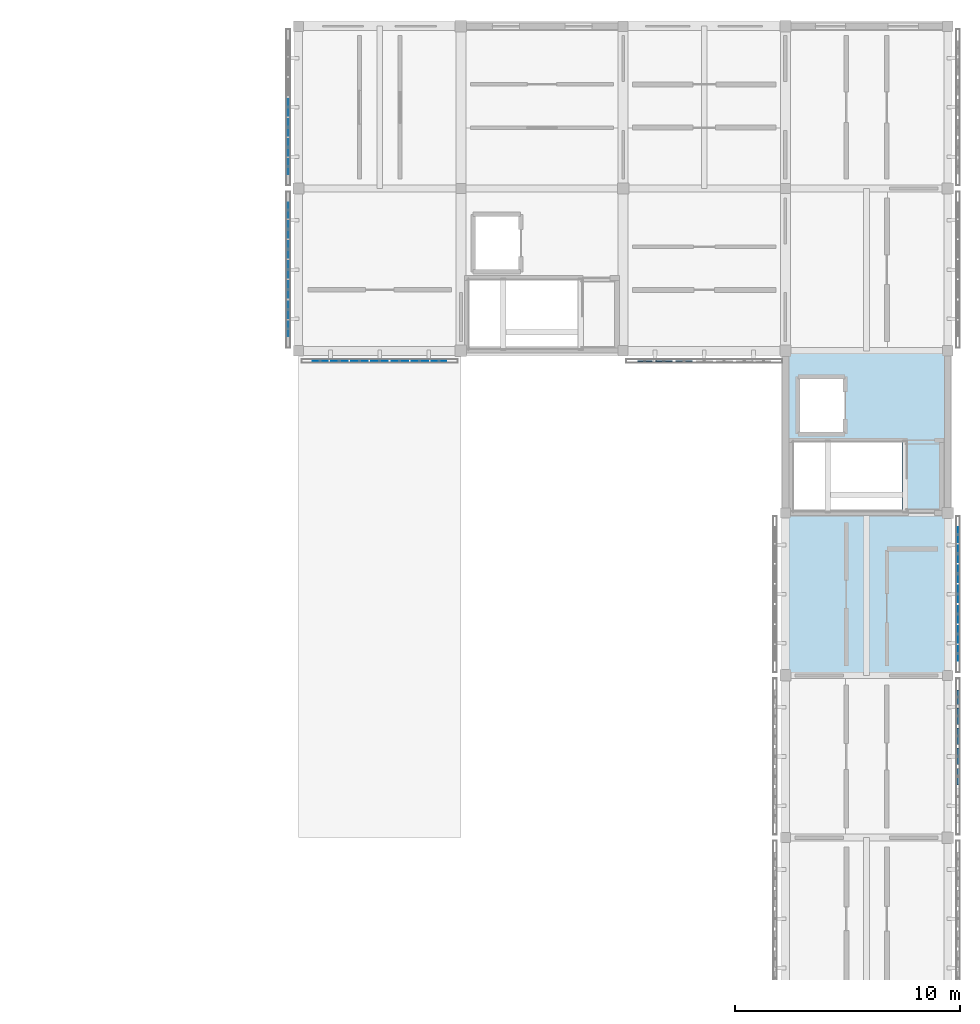
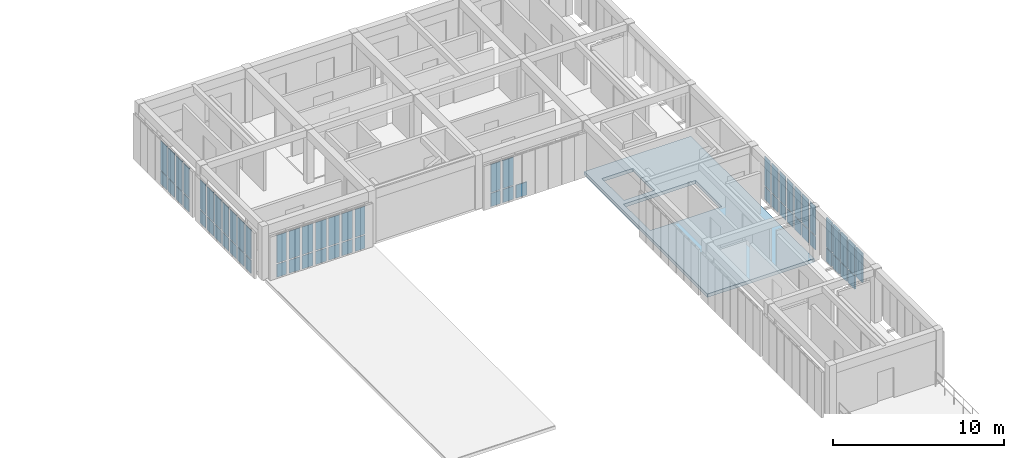
# One storey, part 21 of 33: 64 plates, 1 slab, 6 elements without a shape of their own.
"""IFC4 building model written with IfcOpenShell, lengths in metres."""

from ifc_helpers import new_model, si_unit, direction, frame, origin, origin_2d, place, context, subcontext, project, spatial, polyline, rectangle, outline, extrude, material, layer, layer_set, type_object, element, aggregate, save


model = new_model("IFC4")

# Units and contexts
model_context = context("Model", 3, precision=1e-05, world=origin(), true_north=direction((0.0, 1.0)))
body_context = subcontext(model_context, "Body", "Model", "MODEL_VIEW")
ifc_project = project(units=[si_unit("LENGTHUNIT", "METRE"), si_unit("AREAUNIT", "SQUARE_METRE"), si_unit("VOLUMEUNIT", "CUBIC_METRE"), si_unit("PLANEANGLEUNIT", "RADIAN"), si_unit("MASSUNIT", "GRAM", prefix="KILO")], contexts=[model_context])

# Site, building, storey
site_placement = place(None, origin())
site = spatial("IfcSite", under=ifc_project, at=site_placement, CompositionType="ELEMENT")
building_placement = place(site_placement, origin())
building = spatial("IfcBuilding", under=site, at=building_placement, Name="Aldebral Square Health Centre", CompositionType="ELEMENT")
storey_placement = place(building_placement, frame((0.0, 0.0, 17.550048828125)))
storey = spatial("IfcBuildingStorey", under=building, at=storey_placement, Name="L04", CompositionType="ELEMENT", Elevation=17.550048828125)

# Curtain wall, plates
ifc_material_1 = material(Name="Aluminium and low-E solar glass", Category="aluminium")
curtain_wall_type = type_object("IfcCurtainWallType", Name="CW-FIN-SYS", PredefinedType="USERDEFINED", material=ifc_material_1)
curtain_wall_1_placement = place(storey_placement, origin())
curtain_wall_1 = element("IfcCurtainWall", 1, at=curtain_wall_1_placement, inside=storey, type_object=curtain_wall_type, Name="L04 V5 finned curtain wall L04-V5-19-14-S", ObjectType="SOLAR_CURTAIN_WALL", PredefinedType="USERDEFINED")
ifc_material_2 = material(Name="Solar-control low-E double glass", Category="glass")
ifc_layer_1 = layer(ifc_material_2, 0.02001953125, Name="Solar-control low-E double glass", Category="glass")
ifc_layer_set_1 = layer_set([ifc_layer_1], Name="Solar-control low-E double glass")
plate_type_1 = type_object("IfcPlateType", Name="CWP-GLZ-1", PredefinedType="CURTAIN_PANEL", material=ifc_layer_set_1)
plate_1_placement = place(storey_placement, frame((137.765625, 100.340087890625, 0.074951171875), z_axis=(0.0, 0.0, 1.0), x_axis=(1.0, 0.0, 0.0)))
plate_1 = element("IfcPlate", 2, at=plate_1_placement, type_object=plate_type_1, Name="CW1 panel 1.1", PredefinedType="CURTAIN_PANEL", context=body_context, shape_type="SweptSolid", body=[
    extrude(rectangle(XDim=0.6513671875, YDim=0.02001953125, at=origin_2d()), origin(), (0.0, 0.0, 1.0), 0.9375),
])
plate_2_placement = place(storey_placement, frame((137.765625, 100.340087890625, 1.08740234375), z_axis=(0.0, 0.0, 1.0), x_axis=(1.0, 0.0, 0.0)))
plate_2 = element("IfcPlate", 3, at=plate_2_placement, type_object=plate_type_1, Name="CW1 panel 1.2", PredefinedType="CURTAIN_PANEL", context=body_context, shape_type="SweptSolid", body=[
    extrude(rectangle(XDim=0.6513671875, YDim=0.02001953125, at=origin_2d()), origin(), (0.0, 0.0, 1.0), 1.987548828125),
])
plate_3_placement = place(storey_placement, frame((138.6171875, 100.340087890625, 0.074951171875), z_axis=(0.0, 0.0, 1.0), x_axis=(1.0, 0.0, 0.0)))
plate_3 = element("IfcPlate", 4, at=plate_3_placement, type_object=plate_type_1, Name="CW1 panel 2.1", PredefinedType="CURTAIN_PANEL", context=body_context, shape_type="SweptSolid", body=[
    extrude(rectangle(XDim=0.7314453125, YDim=0.02001953125, at=origin_2d()), origin(), (0.0, 0.0, 1.0), 0.9375),
])
plate_4_placement = place(storey_placement, frame((138.6171875, 100.340087890625, 1.08740234375), z_axis=(0.0, 0.0, 1.0), x_axis=(1.0, 0.0, 0.0)))
plate_4 = element("IfcPlate", 5, at=plate_4_placement, type_object=plate_type_1, Name="CW1 panel 2.2", PredefinedType="CURTAIN_PANEL", context=body_context, shape_type="SweptSolid", body=[
    extrude(rectangle(XDim=0.7314453125, YDim=0.02001953125, at=origin_2d()), origin(), (0.0, 0.0, 1.0), 1.987548828125),
])
plate_5_placement = place(storey_placement, frame((139.508544921875, 100.340087890625, 0.074951171875), z_axis=(0.0, 0.0, 1.0), x_axis=(1.0, 0.0, 0.0)))
plate_5 = element("IfcPlate", 6, at=plate_5_placement, type_object=plate_type_1, Name="CW1 panel 3.1", PredefinedType="CURTAIN_PANEL", context=body_context, shape_type="SweptSolid", body=[
    extrude(rectangle(XDim=0.7314453125, YDim=0.02001953125, at=origin_2d()), origin(), (0.0, 0.0, 1.0), 0.9375),
])
plate_6_placement = place(storey_placement, frame((139.508544921875, 100.340087890625, 1.08740234375), z_axis=(0.0, 0.0, 1.0), x_axis=(1.0, 0.0, 0.0)))
plate_6 = element("IfcPlate", 7, at=plate_6_placement, type_object=plate_type_1, Name="CW1 panel 3.2", PredefinedType="CURTAIN_PANEL", context=body_context, shape_type="SweptSolid", body=[
    extrude(rectangle(XDim=0.7314453125, YDim=0.02001953125, at=origin_2d()), origin(), (0.0, 0.0, 1.0), 1.987548828125),
])
plate_7_placement = place(storey_placement, frame((140.39990234375, 100.340087890625, 0.074951171875), z_axis=(0.0, 0.0, 1.0), x_axis=(1.0, 0.0, 0.0)))
plate_7 = element("IfcPlate", 8, at=plate_7_placement, type_object=plate_type_1, Name="CW1 panel 4.1", PredefinedType="CURTAIN_PANEL", context=body_context, shape_type="SweptSolid", body=[
    extrude(rectangle(XDim=0.7314453125, YDim=0.02001953125, at=origin_2d()), origin(), (0.0, 0.0, 1.0), 0.9375),
])
plate_8_placement = place(storey_placement, frame((140.39990234375, 100.340087890625, 1.08740234375), z_axis=(0.0, 0.0, 1.0), x_axis=(1.0, 0.0, 0.0)))
plate_8 = element("IfcPlate", 9, at=plate_8_placement, type_object=plate_type_1, Name="CW1 panel 4.2", PredefinedType="CURTAIN_PANEL", context=body_context, shape_type="SweptSolid", body=[
    extrude(rectangle(XDim=0.7314453125, YDim=0.02001953125, at=origin_2d()), origin(), (0.0, 0.0, 1.0), 1.987548828125),
])
plate_9_placement = place(storey_placement, frame((141.29150390625, 100.340087890625, 0.074951171875), z_axis=(0.0, 0.0, 1.0), x_axis=(1.0, 0.0, 0.0)))
plate_9 = element("IfcPlate", 10, at=plate_9_placement, type_object=plate_type_1, Name="CW1 panel 5.1", PredefinedType="CURTAIN_PANEL", context=body_context, shape_type="SweptSolid", body=[
    extrude(rectangle(XDim=0.7314453125, YDim=0.02001953125, at=origin_2d()), origin(), (0.0, 0.0, 1.0), 0.9375),
])
plate_10_placement = place(storey_placement, frame((141.29150390625, 100.340087890625, 1.08740234375), z_axis=(0.0, 0.0, 1.0), x_axis=(1.0, 0.0, 0.0)))
plate_10 = element("IfcPlate", 11, at=plate_10_placement, type_object=plate_type_1, Name="CW1 panel 5.2", PredefinedType="CURTAIN_PANEL", context=body_context, shape_type="SweptSolid", body=[
    extrude(rectangle(XDim=0.7314453125, YDim=0.02001953125, at=origin_2d()), origin(), (0.0, 0.0, 1.0), 1.987548828125),
])
plate_11_placement = place(storey_placement, frame((142.182861328125, 100.340087890625, 0.074951171875), z_axis=(0.0, 0.0, 1.0), x_axis=(1.0, 0.0, 0.0)))
plate_11 = element("IfcPlate", 12, at=plate_11_placement, type_object=plate_type_1, Name="CW1 panel 6.1", PredefinedType="CURTAIN_PANEL", context=body_context, shape_type="SweptSolid", body=[
    extrude(rectangle(XDim=0.7314453125, YDim=0.02001953125, at=origin_2d()), origin(), (0.0, 0.0, 1.0), 0.9375),
])
plate_12_placement = place(storey_placement, frame((142.182861328125, 100.340087890625, 1.08740234375), z_axis=(0.0, 0.0, 1.0), x_axis=(1.0, 0.0, 0.0)))
plate_12 = element("IfcPlate", 13, at=plate_12_placement, type_object=plate_type_1, Name="CW1 panel 6.2", PredefinedType="CURTAIN_PANEL", context=body_context, shape_type="SweptSolid", body=[
    extrude(rectangle(XDim=0.7314453125, YDim=0.02001953125, at=origin_2d()), origin(), (0.0, 0.0, 1.0), 1.987548828125),
])
plate_13_placement = place(storey_placement, frame((143.0341796875, 100.340087890625, 0.074951171875), z_axis=(0.0, 0.0, 1.0), x_axis=(1.0, 0.0, 0.0)))
plate_13 = element("IfcPlate", 14, at=plate_13_placement, type_object=plate_type_1, Name="CW1 panel 7.1", PredefinedType="CURTAIN_PANEL", context=body_context, shape_type="SweptSolid", body=[
    extrude(rectangle(XDim=0.6513671875, YDim=0.02001953125, at=origin_2d()), origin(), (0.0, 0.0, 1.0), 0.9375),
])
plate_14_placement = place(storey_placement, frame((143.0341796875, 100.340087890625, 1.08740234375), z_axis=(0.0, 0.0, 1.0), x_axis=(1.0, 0.0, 0.0)))
plate_14 = element("IfcPlate", 15, at=plate_14_placement, type_object=plate_type_1, Name="CW1 panel 7.2", PredefinedType="CURTAIN_PANEL", context=body_context, shape_type="SweptSolid", body=[
    extrude(rectangle(XDim=0.6513671875, YDim=0.02001953125, at=origin_2d()), origin(), (0.0, 0.0, 1.0), 1.987548828125),
])
aggregate(curtain_wall_1, [plate_1, plate_2, plate_3, plate_4, plate_5, plate_6, plate_7, plate_8, plate_9, plate_10, plate_11, plate_12, plate_13, plate_14])

curtain_wall_2_placement = place(storey_placement, origin())
curtain_wall_2 = element("IfcCurtainWall", 16, at=curtain_wall_2_placement, inside=storey, type_object=curtain_wall_type, Name="L04 V5 finned curtain wall L04-V5-19-14-W", ObjectType="SOLAR_CURTAIN_WALL", PredefinedType="USERDEFINED")
ifc_layer_2 = layer(ifc_material_2, 0.030029296875, Name="Solar-control low-E double glass", Category="glass")
ifc_layer_set_2 = layer_set([ifc_layer_2], Name="Solar-control low-E double glass")
plate_type_2 = type_object("IfcPlateType", Name="CWP-GLZ-2", PredefinedType="CURTAIN_PANEL", material=ifc_layer_set_2)
plate_15_placement = place(storey_placement, frame((136.340087890625, 107.0341796875, 0.074951171875), z_axis=(0.0, 0.0, 1.0), x_axis=(0.0, -1.0, 0.0)))
plate_15 = element("IfcPlate", 17, at=plate_15_placement, type_object=plate_type_2, Name="CW1 panel 1.1", PredefinedType="CURTAIN_PANEL", context=body_context, shape_type="SweptSolid", body=[
    extrude(rectangle(XDim=0.6513671875, YDim=0.030029296875, at=origin_2d()), origin(), (0.0, 0.0, 1.0), 0.9375),
])
plate_16_placement = place(storey_placement, frame((136.340087890625, 107.0341796875, 1.08740234375), z_axis=(0.0, 0.0, 1.0), x_axis=(0.0, -1.0, 0.0)))
plate_16 = element("IfcPlate", 18, at=plate_16_placement, type_object=plate_type_2, Name="CW1 panel 1.2", PredefinedType="CURTAIN_PANEL", context=body_context, shape_type="SweptSolid", body=[
    extrude(rectangle(XDim=0.6513671875, YDim=0.030029296875, at=origin_2d()), origin(), (0.0, 0.0, 1.0), 2.08740234375),
])
plate_17_placement = place(storey_placement, frame((136.340087890625, 106.182861328125, 0.074951171875), z_axis=(0.0, 0.0, 1.0), x_axis=(0.0, -1.0, 0.0)))
plate_17 = element("IfcPlate", 19, at=plate_17_placement, type_object=plate_type_2, Name="CW1 panel 2.1", PredefinedType="CURTAIN_PANEL", context=body_context, shape_type="SweptSolid", body=[
    extrude(rectangle(XDim=0.7314453125, YDim=0.030029296875, at=origin_2d()), origin(), (0.0, 0.0, 1.0), 0.9375),
])
plate_18_placement = place(storey_placement, frame((136.340087890625, 106.182861328125, 1.08740234375), z_axis=(0.0, 0.0, 1.0), x_axis=(0.0, -1.0, 0.0)))
plate_18 = element("IfcPlate", 20, at=plate_18_placement, type_object=plate_type_2, Name="CW1 panel 2.2", PredefinedType="CURTAIN_PANEL", context=body_context, shape_type="SweptSolid", body=[
    extrude(rectangle(XDim=0.7314453125, YDim=0.030029296875, at=origin_2d()), origin(), (0.0, 0.0, 1.0), 2.08740234375),
])
plate_19_placement = place(storey_placement, frame((136.340087890625, 105.29150390625, 0.074951171875), z_axis=(0.0, 0.0, 1.0), x_axis=(0.0, -1.0, 0.0)))
plate_19 = element("IfcPlate", 21, at=plate_19_placement, type_object=plate_type_2, Name="CW1 panel 3.1", PredefinedType="CURTAIN_PANEL", context=body_context, shape_type="SweptSolid", body=[
    extrude(rectangle(XDim=0.7314453125, YDim=0.030029296875, at=origin_2d()), origin(), (0.0, 0.0, 1.0), 0.9375),
])
plate_20_placement = place(storey_placement, frame((136.340087890625, 105.29150390625, 1.08740234375), z_axis=(0.0, 0.0, 1.0), x_axis=(0.0, -1.0, 0.0)))
plate_20 = element("IfcPlate", 22, at=plate_20_placement, type_object=plate_type_2, Name="CW1 panel 3.2", PredefinedType="CURTAIN_PANEL", context=body_context, shape_type="SweptSolid", body=[
    extrude(rectangle(XDim=0.7314453125, YDim=0.030029296875, at=origin_2d()), origin(), (0.0, 0.0, 1.0), 2.08740234375),
])
plate_21_placement = place(storey_placement, frame((136.340087890625, 104.39990234375, 0.074951171875), z_axis=(0.0, 0.0, 1.0), x_axis=(0.0, -1.0, 0.0)))
plate_21 = element("IfcPlate", 23, at=plate_21_placement, type_object=plate_type_2, Name="CW1 panel 4.1", PredefinedType="CURTAIN_PANEL", context=body_context, shape_type="SweptSolid", body=[
    extrude(rectangle(XDim=0.7314453125, YDim=0.030029296875, at=origin_2d()), origin(), (0.0, 0.0, 1.0), 0.9375),
])
plate_22_placement = place(storey_placement, frame((136.340087890625, 104.39990234375, 1.08740234375), z_axis=(0.0, 0.0, 1.0), x_axis=(0.0, -1.0, 0.0)))
plate_22 = element("IfcPlate", 24, at=plate_22_placement, type_object=plate_type_2, Name="CW1 panel 4.2", PredefinedType="CURTAIN_PANEL", context=body_context, shape_type="SweptSolid", body=[
    extrude(rectangle(XDim=0.7314453125, YDim=0.030029296875, at=origin_2d()), origin(), (0.0, 0.0, 1.0), 2.08740234375),
])
plate_23_placement = place(storey_placement, frame((136.340087890625, 103.508544921875, 0.074951171875), z_axis=(0.0, 0.0, 1.0), x_axis=(0.0, -1.0, 0.0)))
plate_23 = element("IfcPlate", 25, at=plate_23_placement, type_object=plate_type_2, Name="CW1 panel 5.1", PredefinedType="CURTAIN_PANEL", context=body_context, shape_type="SweptSolid", body=[
    extrude(rectangle(XDim=0.7314453125, YDim=0.030029296875, at=origin_2d()), origin(), (0.0, 0.0, 1.0), 0.9375),
])
plate_24_placement = place(storey_placement, frame((136.340087890625, 103.508544921875, 1.08740234375), z_axis=(0.0, 0.0, 1.0), x_axis=(0.0, -1.0, 0.0)))
plate_24 = element("IfcPlate", 26, at=plate_24_placement, type_object=plate_type_2, Name="CW1 panel 5.2", PredefinedType="CURTAIN_PANEL", context=body_context, shape_type="SweptSolid", body=[
    extrude(rectangle(XDim=0.7314453125, YDim=0.030029296875, at=origin_2d()), origin(), (0.0, 0.0, 1.0), 2.08740234375),
])
plate_25_placement = place(storey_placement, frame((136.340087890625, 102.6171875, 0.074951171875), z_axis=(0.0, 0.0, 1.0), x_axis=(0.0, -1.0, 0.0)))
plate_25 = element("IfcPlate", 27, at=plate_25_placement, type_object=plate_type_2, Name="CW1 panel 6.1", PredefinedType="CURTAIN_PANEL", context=body_context, shape_type="SweptSolid", body=[
    extrude(rectangle(XDim=0.7314453125, YDim=0.030029296875, at=origin_2d()), origin(), (0.0, 0.0, 1.0), 0.9375),
])
plate_26_placement = place(storey_placement, frame((136.340087890625, 102.6171875, 1.08740234375), z_axis=(0.0, 0.0, 1.0), x_axis=(0.0, -1.0, 0.0)))
plate_26 = element("IfcPlate", 28, at=plate_26_placement, type_object=plate_type_2, Name="CW1 panel 6.2", PredefinedType="CURTAIN_PANEL", context=body_context, shape_type="SweptSolid", body=[
    extrude(rectangle(XDim=0.7314453125, YDim=0.030029296875, at=origin_2d()), origin(), (0.0, 0.0, 1.0), 2.08740234375),
])
plate_27_placement = place(storey_placement, frame((136.340087890625, 101.765625, 0.074951171875), z_axis=(0.0, 0.0, 1.0), x_axis=(0.0, -1.0, 0.0)))
plate_27 = element("IfcPlate", 29, at=plate_27_placement, type_object=plate_type_2, Name="CW1 panel 7.1", PredefinedType="CURTAIN_PANEL", context=body_context, shape_type="SweptSolid", body=[
    extrude(rectangle(XDim=0.6513671875, YDim=0.030029296875, at=origin_2d()), origin(), (0.0, 0.0, 1.0), 0.9375),
])
plate_28_placement = place(storey_placement, frame((136.340087890625, 101.765625, 1.08740234375), z_axis=(0.0, 0.0, 1.0), x_axis=(0.0, -1.0, 0.0)))
plate_28 = element("IfcPlate", 30, at=plate_28_placement, type_object=plate_type_2, Name="CW1 panel 7.2", PredefinedType="CURTAIN_PANEL", context=body_context, shape_type="SweptSolid", body=[
    extrude(rectangle(XDim=0.6513671875, YDim=0.030029296875, at=origin_2d()), origin(), (0.0, 0.0, 1.0), 2.08740234375),
])
aggregate(curtain_wall_2, [plate_15, plate_16, plate_17, plate_18, plate_19, plate_20, plate_21, plate_22, plate_23, plate_24, plate_25, plate_26, plate_27, plate_28])

curtain_wall_3_placement = place(storey_placement, origin())
curtain_wall_3 = element("IfcCurtainWall", 31, at=curtain_wall_3_placement, inside=storey, type_object=curtain_wall_type, Name="L04 V5 finned curtain wall L04-V5-22-12-E", ObjectType="SOLAR_CURTAIN_WALL", PredefinedType="USERDEFINED")
plate_29_placement = place(storey_placement, frame((166.06005859375, 87.36572265625, 0.074951171875), z_axis=(0.0, 0.0, 1.0), x_axis=(0.0, 1.0, 0.0)))
plate_29 = element("IfcPlate", 32, at=plate_29_placement, type_object=plate_type_2, Name="CW1 panel 1.1", PredefinedType="CURTAIN_PANEL", context=body_context, shape_type="SweptSolid", body=[
    extrude(rectangle(XDim=0.6513671875, YDim=0.030029296875, at=origin_2d()), origin(), (0.0, 0.0, 1.0), 0.9375),
])
plate_30_placement = place(storey_placement, frame((166.06005859375, 87.36572265625, 1.08740234375), z_axis=(0.0, 0.0, 1.0), x_axis=(0.0, 1.0, 0.0)))
plate_30 = element("IfcPlate", 33, at=plate_30_placement, type_object=plate_type_2, Name="CW1 panel 1.2", PredefinedType="CURTAIN_PANEL", context=body_context, shape_type="SweptSolid", body=[
    extrude(rectangle(XDim=0.6513671875, YDim=0.030029296875, at=origin_2d()), origin(), (0.0, 0.0, 1.0), 2.08740234375),
])
plate_31_placement = place(storey_placement, frame((166.06005859375, 88.217041015625, 0.074951171875), z_axis=(0.0, 0.0, 1.0), x_axis=(0.0, 1.0, 0.0)))
plate_31 = element("IfcPlate", 34, at=plate_31_placement, type_object=plate_type_2, Name="CW1 panel 2.1", PredefinedType="CURTAIN_PANEL", context=body_context, shape_type="SweptSolid", body=[
    extrude(rectangle(XDim=0.7314453125, YDim=0.030029296875, at=origin_2d()), origin(), (0.0, 0.0, 1.0), 0.9375),
])
plate_32_placement = place(storey_placement, frame((166.06005859375, 88.217041015625, 1.08740234375), z_axis=(0.0, 0.0, 1.0), x_axis=(0.0, 1.0, 0.0)))
plate_32 = element("IfcPlate", 35, at=plate_32_placement, type_object=plate_type_2, Name="CW1 panel 2.2", PredefinedType="CURTAIN_PANEL", context=body_context, shape_type="SweptSolid", body=[
    extrude(rectangle(XDim=0.7314453125, YDim=0.030029296875, at=origin_2d()), origin(), (0.0, 0.0, 1.0), 2.08740234375),
])
plate_33_placement = place(storey_placement, frame((166.06005859375, 89.108642578125, 0.074951171875), z_axis=(0.0, 0.0, 1.0), x_axis=(0.0, 1.0, 0.0)))
plate_33 = element("IfcPlate", 36, at=plate_33_placement, type_object=plate_type_2, Name="CW1 panel 3.1", PredefinedType="CURTAIN_PANEL", context=body_context, shape_type="SweptSolid", body=[
    extrude(rectangle(XDim=0.7314453125, YDim=0.030029296875, at=origin_2d()), origin(), (0.0, 0.0, 1.0), 0.9375),
])
plate_34_placement = place(storey_placement, frame((166.06005859375, 89.108642578125, 1.08740234375), z_axis=(0.0, 0.0, 1.0), x_axis=(0.0, 1.0, 0.0)))
plate_34 = element("IfcPlate", 37, at=plate_34_placement, type_object=plate_type_2, Name="CW1 panel 3.2", PredefinedType="CURTAIN_PANEL", context=body_context, shape_type="SweptSolid", body=[
    extrude(rectangle(XDim=0.7314453125, YDim=0.030029296875, at=origin_2d()), origin(), (0.0, 0.0, 1.0), 2.08740234375),
])
plate_35_placement = place(storey_placement, frame((166.06005859375, 90.0, 0.074951171875), z_axis=(0.0, 0.0, 1.0), x_axis=(0.0, 1.0, 0.0)))
plate_35 = element("IfcPlate", 38, at=plate_35_placement, type_object=plate_type_2, Name="CW1 panel 4.1", PredefinedType="CURTAIN_PANEL", context=body_context, shape_type="SweptSolid", body=[
    extrude(rectangle(XDim=0.7314453125, YDim=0.030029296875, at=origin_2d()), origin(), (0.0, 0.0, 1.0), 0.9375),
])
plate_36_placement = place(storey_placement, frame((166.06005859375, 90.0, 1.08740234375), z_axis=(0.0, 0.0, 1.0), x_axis=(0.0, 1.0, 0.0)))
plate_36 = element("IfcPlate", 39, at=plate_36_placement, type_object=plate_type_2, Name="CW1 panel 4.2", PredefinedType="CURTAIN_PANEL", context=body_context, shape_type="SweptSolid", body=[
    extrude(rectangle(XDim=0.7314453125, YDim=0.030029296875, at=origin_2d()), origin(), (0.0, 0.0, 1.0), 2.08740234375),
])
plate_37_placement = place(storey_placement, frame((166.06005859375, 90.891357421875, 0.074951171875), z_axis=(0.0, 0.0, 1.0), x_axis=(0.0, 1.0, 0.0)))
plate_37 = element("IfcPlate", 40, at=plate_37_placement, type_object=plate_type_2, Name="CW1 panel 5.1", PredefinedType="CURTAIN_PANEL", context=body_context, shape_type="SweptSolid", body=[
    extrude(rectangle(XDim=0.7314453125, YDim=0.030029296875, at=origin_2d()), origin(), (0.0, 0.0, 1.0), 0.9375),
])
plate_38_placement = place(storey_placement, frame((166.06005859375, 90.891357421875, 1.08740234375), z_axis=(0.0, 0.0, 1.0), x_axis=(0.0, 1.0, 0.0)))
plate_38 = element("IfcPlate", 41, at=plate_38_placement, type_object=plate_type_2, Name="CW1 panel 5.2", PredefinedType="CURTAIN_PANEL", context=body_context, shape_type="SweptSolid", body=[
    extrude(rectangle(XDim=0.7314453125, YDim=0.030029296875, at=origin_2d()), origin(), (0.0, 0.0, 1.0), 2.08740234375),
])
plate_39_placement = place(storey_placement, frame((166.06005859375, 91.782958984375, 0.074951171875), z_axis=(0.0, 0.0, 1.0), x_axis=(0.0, 1.0, 0.0)))
plate_39 = element("IfcPlate", 42, at=plate_39_placement, type_object=plate_type_2, Name="CW1 panel 6.1", PredefinedType="CURTAIN_PANEL", context=body_context, shape_type="SweptSolid", body=[
    extrude(rectangle(XDim=0.7314453125, YDim=0.030029296875, at=origin_2d()), origin(), (0.0, 0.0, 1.0), 0.9375),
])
plate_40_placement = place(storey_placement, frame((166.06005859375, 91.782958984375, 1.08740234375), z_axis=(0.0, 0.0, 1.0), x_axis=(0.0, 1.0, 0.0)))
plate_40 = element("IfcPlate", 43, at=plate_40_placement, type_object=plate_type_2, Name="CW1 panel 6.2", PredefinedType="CURTAIN_PANEL", context=body_context, shape_type="SweptSolid", body=[
    extrude(rectangle(XDim=0.7314453125, YDim=0.030029296875, at=origin_2d()), origin(), (0.0, 0.0, 1.0), 2.08740234375),
])
plate_41_placement = place(storey_placement, frame((166.06005859375, 92.63427734375, 0.074951171875), z_axis=(0.0, 0.0, 1.0), x_axis=(0.0, 1.0, 0.0)))
plate_41 = element("IfcPlate", 44, at=plate_41_placement, type_object=plate_type_2, Name="CW1 panel 7.1", PredefinedType="CURTAIN_PANEL", context=body_context, shape_type="SweptSolid", body=[
    extrude(rectangle(XDim=0.6513671875, YDim=0.030029296875, at=origin_2d()), origin(), (0.0, 0.0, 1.0), 0.9375),
])
plate_42_placement = place(storey_placement, frame((166.06005859375, 92.63427734375, 1.08740234375), z_axis=(0.0, 0.0, 1.0), x_axis=(0.0, 1.0, 0.0)))
plate_42 = element("IfcPlate", 45, at=plate_42_placement, type_object=plate_type_2, Name="CW1 panel 7.2", PredefinedType="CURTAIN_PANEL", context=body_context, shape_type="SweptSolid", body=[
    extrude(rectangle(XDim=0.6513671875, YDim=0.030029296875, at=origin_2d()), origin(), (0.0, 0.0, 1.0), 2.08740234375),
])
aggregate(curtain_wall_3, [plate_29, plate_30, plate_31, plate_32, plate_33, plate_34, plate_35, plate_36, plate_37, plate_38, plate_39, plate_40, plate_41, plate_42])

curtain_wall_4_placement = place(storey_placement, origin())
curtain_wall_4 = element("IfcCurtainWall", 46, at=curtain_wall_4_placement, inside=storey, type_object=curtain_wall_type, Name="L04 V5 finned curtain wall L04-V5-19-15-W", ObjectType="SOLAR_CURTAIN_WALL", PredefinedType="USERDEFINED")
ifc_layer_3 = layer(ifc_material_2, 0.0400390625, Name="Solar-control low-E double glass", Category="glass")
ifc_layer_set_3 = layer_set([ifc_layer_3], Name="Solar-control low-E double glass")
plate_type_3 = type_object("IfcPlateType", Name="CWP-GLZ-3", PredefinedType="CURTAIN_PANEL", material=ifc_layer_set_3)
plate_43_placement = place(storey_placement, frame((136.340087890625, 111.60009765625, 0.074951171875), z_axis=(0.0, 0.0, 1.0), x_axis=(0.0, -1.0, 0.0)))
plate_43 = element("IfcPlate", 47, at=plate_43_placement, type_object=plate_type_3, Name="CW1 panel 4.1", PredefinedType="CURTAIN_PANEL", context=body_context, shape_type="SweptSolid", body=[
    extrude(rectangle(XDim=0.7314453125, YDim=0.0400390625, at=origin_2d()), origin(), (0.0, 0.0, 1.0), 0.9375),
])
plate_44_placement = place(storey_placement, frame((136.340087890625, 111.60009765625, 1.08740234375), z_axis=(0.0, 0.0, 1.0), x_axis=(0.0, -1.0, 0.0)))
plate_44 = element("IfcPlate", 48, at=plate_44_placement, type_object=plate_type_3, Name="CW1 panel 4.2", PredefinedType="CURTAIN_PANEL", context=body_context, shape_type="SweptSolid", body=[
    extrude(rectangle(XDim=0.7314453125, YDim=0.0400390625, at=origin_2d()), origin(), (0.0, 0.0, 1.0), 2.08740234375),
])
plate_45_placement = place(storey_placement, frame((136.340087890625, 110.70849609375, 0.074951171875), z_axis=(0.0, 0.0, 1.0), x_axis=(0.0, -1.0, 0.0)))
plate_45 = element("IfcPlate", 49, at=plate_45_placement, type_object=plate_type_3, Name="CW1 panel 5.1", PredefinedType="CURTAIN_PANEL", context=body_context, shape_type="SweptSolid", body=[
    extrude(rectangle(XDim=0.7314453125, YDim=0.0400390625, at=origin_2d()), origin(), (0.0, 0.0, 1.0), 0.9375),
])
plate_46_placement = place(storey_placement, frame((136.340087890625, 110.70849609375, 1.08740234375), z_axis=(0.0, 0.0, 1.0), x_axis=(0.0, -1.0, 0.0)))
plate_46 = element("IfcPlate", 50, at=plate_46_placement, type_object=plate_type_3, Name="CW1 panel 5.2", PredefinedType="CURTAIN_PANEL", context=body_context, shape_type="SweptSolid", body=[
    extrude(rectangle(XDim=0.7314453125, YDim=0.0400390625, at=origin_2d()), origin(), (0.0, 0.0, 1.0), 2.08740234375),
])
plate_47_placement = place(storey_placement, frame((136.340087890625, 109.817138671875, 0.074951171875), z_axis=(0.0, 0.0, 1.0), x_axis=(0.0, -1.0, 0.0)))
plate_47 = element("IfcPlate", 51, at=plate_47_placement, type_object=plate_type_3, Name="CW1 panel 6.1", PredefinedType="CURTAIN_PANEL", context=body_context, shape_type="SweptSolid", body=[
    extrude(rectangle(XDim=0.7314453125, YDim=0.0400390625, at=origin_2d()), origin(), (0.0, 0.0, 1.0), 0.9375),
])
plate_48_placement = place(storey_placement, frame((136.340087890625, 109.817138671875, 1.08740234375), z_axis=(0.0, 0.0, 1.0), x_axis=(0.0, -1.0, 0.0)))
plate_48 = element("IfcPlate", 52, at=plate_48_placement, type_object=plate_type_3, Name="CW1 panel 6.2", PredefinedType="CURTAIN_PANEL", context=body_context, shape_type="SweptSolid", body=[
    extrude(rectangle(XDim=0.7314453125, YDim=0.0400390625, at=origin_2d()), origin(), (0.0, 0.0, 1.0), 2.08740234375),
])
plate_49_placement = place(storey_placement, frame((136.340087890625, 108.9658203125, 0.074951171875), z_axis=(0.0, 0.0, 1.0), x_axis=(0.0, -1.0, 0.0)))
plate_49 = element("IfcPlate", 53, at=plate_49_placement, type_object=plate_type_3, Name="CW1 panel 7.1", PredefinedType="CURTAIN_PANEL", context=body_context, shape_type="SweptSolid", body=[
    extrude(rectangle(XDim=0.6513671875, YDim=0.0400390625, at=origin_2d()), origin(), (0.0, 0.0, 1.0), 0.9375),
])
plate_50_placement = place(storey_placement, frame((136.340087890625, 108.9658203125, 1.08740234375), z_axis=(0.0, 0.0, 1.0), x_axis=(0.0, -1.0, 0.0)))
plate_50 = element("IfcPlate", 54, at=plate_50_placement, type_object=plate_type_3, Name="CW1 panel 7.2", PredefinedType="CURTAIN_PANEL", context=body_context, shape_type="SweptSolid", body=[
    extrude(rectangle(XDim=0.6513671875, YDim=0.0400390625, at=origin_2d()), origin(), (0.0, 0.0, 1.0), 2.08740234375),
])
aggregate(curtain_wall_4, [plate_43, plate_44, plate_45, plate_46, plate_47, plate_48, plate_49, plate_50])

curtain_wall_5_placement = place(storey_placement, origin())
curtain_wall_5 = element("IfcCurtainWall", 55, at=curtain_wall_5_placement, inside=storey, type_object=curtain_wall_type, Name="L04 V5 finned curtain wall L04-V5-21-14-S", ObjectType="SOLAR_CURTAIN_WALL", PredefinedType="USERDEFINED")
ifc_layer_4 = layer(ifc_material_2, 0.050048828125, Name="Solar-control low-E double glass", Category="glass")
ifc_layer_set_4 = layer_set([ifc_layer_4], Name="Solar-control low-E double glass")
plate_type_4 = type_object("IfcPlateType", Name="CWP-GLZ-4", PredefinedType="CURTAIN_PANEL", material=ifc_layer_set_4)
plate_51_placement = place(storey_placement, frame((152.165771484375, 100.340087890625, 0.074951171875), z_axis=(0.0, 0.0, 1.0), x_axis=(1.0, 0.0, 0.0)))
plate_51 = element("IfcPlate", 56, at=plate_51_placement, type_object=plate_type_4, Name="CW1 panel 1.1", PredefinedType="CURTAIN_PANEL", context=body_context, shape_type="SweptSolid", body=[
    extrude(rectangle(XDim=0.6513671875, YDim=0.050048828125, at=origin_2d()), origin(), (0.0, 0.0, 1.0), 0.9375),
])
plate_52_placement = place(storey_placement, frame((152.165771484375, 100.340087890625, 1.08740234375), z_axis=(0.0, 0.0, 1.0), x_axis=(1.0, 0.0, 0.0)))
plate_52 = element("IfcPlate", 57, at=plate_52_placement, type_object=plate_type_4, Name="CW1 panel 1.2", PredefinedType="CURTAIN_PANEL", context=body_context, shape_type="SweptSolid", body=[
    extrude(rectangle(XDim=0.6513671875, YDim=0.050048828125, at=origin_2d()), origin(), (0.0, 0.0, 1.0), 1.987548828125),
])
plate_53_placement = place(storey_placement, frame((153.01708984375, 100.340087890625, 0.074951171875), z_axis=(0.0, 0.0, 1.0), x_axis=(1.0, 0.0, 0.0)))
plate_53 = element("IfcPlate", 58, at=plate_53_placement, type_object=plate_type_4, Name="CW1 panel 2.1", PredefinedType="CURTAIN_PANEL", context=body_context, shape_type="SweptSolid", body=[
    extrude(rectangle(XDim=0.7314453125, YDim=0.050048828125, at=origin_2d()), origin(), (0.0, 0.0, 1.0), 0.9375),
])
plate_54_placement = place(storey_placement, frame((153.01708984375, 100.340087890625, 1.08740234375), z_axis=(0.0, 0.0, 1.0), x_axis=(1.0, 0.0, 0.0)))
plate_54 = element("IfcPlate", 59, at=plate_54_placement, type_object=plate_type_4, Name="CW1 panel 2.2", PredefinedType="CURTAIN_PANEL", context=body_context, shape_type="SweptSolid", body=[
    extrude(rectangle(XDim=0.7314453125, YDim=0.050048828125, at=origin_2d()), origin(), (0.0, 0.0, 1.0), 1.987548828125),
])
plate_55_placement = place(storey_placement, frame((153.90869140625, 100.340087890625, 0.074951171875), z_axis=(0.0, 0.0, 1.0), x_axis=(1.0, 0.0, 0.0)))
plate_55 = element("IfcPlate", 60, at=plate_55_placement, type_object=plate_type_4, Name="CW1 panel 3.1", PredefinedType="CURTAIN_PANEL", context=body_context, shape_type="SweptSolid", body=[
    extrude(rectangle(XDim=0.7314453125, YDim=0.050048828125, at=origin_2d()), origin(), (0.0, 0.0, 1.0), 0.9375),
])
aggregate(curtain_wall_5, [plate_51, plate_52, plate_53, plate_54, plate_55])

curtain_wall_6_placement = place(storey_placement, origin())
curtain_wall_6 = element("IfcCurtainWall", 61, at=curtain_wall_6_placement, inside=storey, type_object=curtain_wall_type, Name="L04 V5 finned curtain wall L04-V5-22-11-E", ObjectType="SOLAR_CURTAIN_WALL", PredefinedType="USERDEFINED")
ifc_layer_5 = layer(ifc_material_2, 0.090087890625, Name="Solar-control low-E double glass", Category="glass")
ifc_layer_set_5 = layer_set([ifc_layer_5], Name="Solar-control low-E double glass")
plate_type_5 = type_object("IfcPlateType", Name="CWP-GLZ-8", PredefinedType="CURTAIN_PANEL", material=ifc_layer_set_5)
plate_56_placement = place(storey_placement, frame((166.06005859375, 81.90869140625, 1.08740234375), z_axis=(0.0, 0.0, 1.0), x_axis=(0.0, 1.0, 0.0)))
plate_56 = element("IfcPlate", 62, at=plate_56_placement, type_object=plate_type_5, Name="CW1 panel 3.2", PredefinedType="CURTAIN_PANEL", context=body_context, shape_type="SweptSolid", body=[
    extrude(rectangle(XDim=0.7314453125, YDim=0.090087890625, at=origin_2d()), origin(), (0.0, 0.0, 1.0), 2.08740234375),
])
plate_57_placement = place(storey_placement, frame((166.06005859375, 82.800048828125, 0.074951171875), z_axis=(0.0, 0.0, 1.0), x_axis=(0.0, 1.0, 0.0)))
plate_57 = element("IfcPlate", 63, at=plate_57_placement, type_object=plate_type_5, Name="CW1 panel 4.1", PredefinedType="CURTAIN_PANEL", context=body_context, shape_type="SweptSolid", body=[
    extrude(rectangle(XDim=0.7314453125, YDim=0.090087890625, at=origin_2d()), origin(), (0.0, 0.0, 1.0), 0.9375),
])
plate_58_placement = place(storey_placement, frame((166.06005859375, 82.800048828125, 1.08740234375), z_axis=(0.0, 0.0, 1.0), x_axis=(0.0, 1.0, 0.0)))
plate_58 = element("IfcPlate", 64, at=plate_58_placement, type_object=plate_type_5, Name="CW1 panel 4.2", PredefinedType="CURTAIN_PANEL", context=body_context, shape_type="SweptSolid", body=[
    extrude(rectangle(XDim=0.7314453125, YDim=0.090087890625, at=origin_2d()), origin(), (0.0, 0.0, 1.0), 2.08740234375),
])
plate_59_placement = place(storey_placement, frame((166.06005859375, 83.69140625, 0.074951171875), z_axis=(0.0, 0.0, 1.0), x_axis=(0.0, 1.0, 0.0)))
plate_59 = element("IfcPlate", 65, at=plate_59_placement, type_object=plate_type_5, Name="CW1 panel 5.1", PredefinedType="CURTAIN_PANEL", context=body_context, shape_type="SweptSolid", body=[
    extrude(rectangle(XDim=0.7314453125, YDim=0.090087890625, at=origin_2d()), origin(), (0.0, 0.0, 1.0), 0.9375),
])
plate_60_placement = place(storey_placement, frame((166.06005859375, 83.69140625, 1.08740234375), z_axis=(0.0, 0.0, 1.0), x_axis=(0.0, 1.0, 0.0)))
plate_60 = element("IfcPlate", 66, at=plate_60_placement, type_object=plate_type_5, Name="CW1 panel 5.2", PredefinedType="CURTAIN_PANEL", context=body_context, shape_type="SweptSolid", body=[
    extrude(rectangle(XDim=0.7314453125, YDim=0.090087890625, at=origin_2d()), origin(), (0.0, 0.0, 1.0), 2.08740234375),
])
plate_61_placement = place(storey_placement, frame((166.06005859375, 84.582763671875, 0.074951171875), z_axis=(0.0, 0.0, 1.0), x_axis=(0.0, 1.0, 0.0)))
plate_61 = element("IfcPlate", 67, at=plate_61_placement, type_object=plate_type_5, Name="CW1 panel 6.1", PredefinedType="CURTAIN_PANEL", context=body_context, shape_type="SweptSolid", body=[
    extrude(rectangle(XDim=0.7314453125, YDim=0.090087890625, at=origin_2d()), origin(), (0.0, 0.0, 1.0), 0.9375),
])
plate_62_placement = place(storey_placement, frame((166.06005859375, 84.582763671875, 1.08740234375), z_axis=(0.0, 0.0, 1.0), x_axis=(0.0, 1.0, 0.0)))
plate_62 = element("IfcPlate", 68, at=plate_62_placement, type_object=plate_type_5, Name="CW1 panel 6.2", PredefinedType="CURTAIN_PANEL", context=body_context, shape_type="SweptSolid", body=[
    extrude(rectangle(XDim=0.7314453125, YDim=0.090087890625, at=origin_2d()), origin(), (0.0, 0.0, 1.0), 2.08740234375),
])
plate_63_placement = place(storey_placement, frame((166.06005859375, 85.434326171875, 0.074951171875), z_axis=(0.0, 0.0, 1.0), x_axis=(0.0, 1.0, 0.0)))
plate_63 = element("IfcPlate", 69, at=plate_63_placement, type_object=plate_type_5, Name="CW1 panel 7.1", PredefinedType="CURTAIN_PANEL", context=body_context, shape_type="SweptSolid", body=[
    extrude(rectangle(XDim=0.6513671875, YDim=0.090087890625, at=origin_2d()), origin(), (0.0, 0.0, 1.0), 0.9375),
])
plate_64_placement = place(storey_placement, frame((166.06005859375, 85.434326171875, 1.08740234375), z_axis=(0.0, 0.0, 1.0), x_axis=(0.0, 1.0, 0.0)))
plate_64 = element("IfcPlate", 70, at=plate_64_placement, type_object=plate_type_5, Name="CW1 panel 7.2", PredefinedType="CURTAIN_PANEL", context=body_context, shape_type="SweptSolid", body=[
    extrude(rectangle(XDim=0.6513671875, YDim=0.090087890625, at=origin_2d()), origin(), (0.0, 0.0, 1.0), 2.08740234375),
])
aggregate(curtain_wall_6, [plate_56, plate_57, plate_58, plate_59, plate_60, plate_61, plate_62, plate_63, plate_64])

# Slab
ifc_material_3 = material(Name="Concrete C35/45", Category="concrete")
ifc_layer_6 = layer(ifc_material_3, 0.239990234375, Name="Concrete C35/45", Category="concrete")
ifc_layer_set_6 = layer_set([ifc_layer_6], Name="Concrete C35/45")
slab_type = type_object("IfcSlabType", Name="SL-FLR-240", PredefinedType="FLOOR", material=ifc_layer_set_6)
slab_placement = place(storey_placement, frame((0.0, 0.0, -0.239990234375)))
element("IfcSlab", 71, at=slab_placement, inside=storey, type_object=slab_type, Name="L04 V5 floor slab 4", PredefinedType="FLOOR", context=body_context, shape_type="SweptSolid", body=[
    extrude(outline(polyline([(158.39990234375, 86.39990234375), (158.39990234375, 93.60009765625), (158.39990234375, 100.800048828125), (165.60009765625, 100.800048828125), (165.60009765625, 93.60009765625), (165.60009765625, 86.39990234375), (158.39990234375, 86.39990234375)]), holes=[polyline([(158.739990234375, 96.760009765625), (158.739990234375, 93.679931640625), (163.580078125, 93.679931640625), (163.580078125, 96.760009765625), (158.739990234375, 96.760009765625)]), polyline([(158.949951171875, 99.64990234375), (158.949951171875, 97.10009765625), (161.050048828125, 97.10009765625), (161.050048828125, 99.64990234375), (158.949951171875, 99.64990234375)])]), origin(), (0.0, 0.0, 1.0), 0.239990234375),
])

save(model, "model.ifc")
